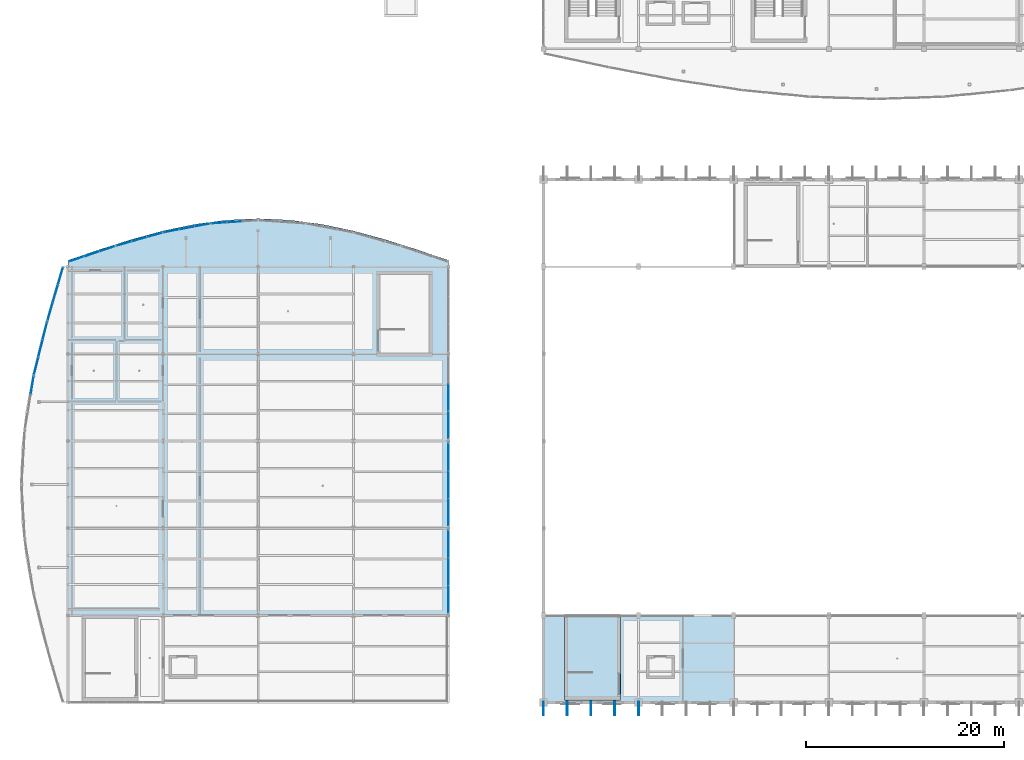
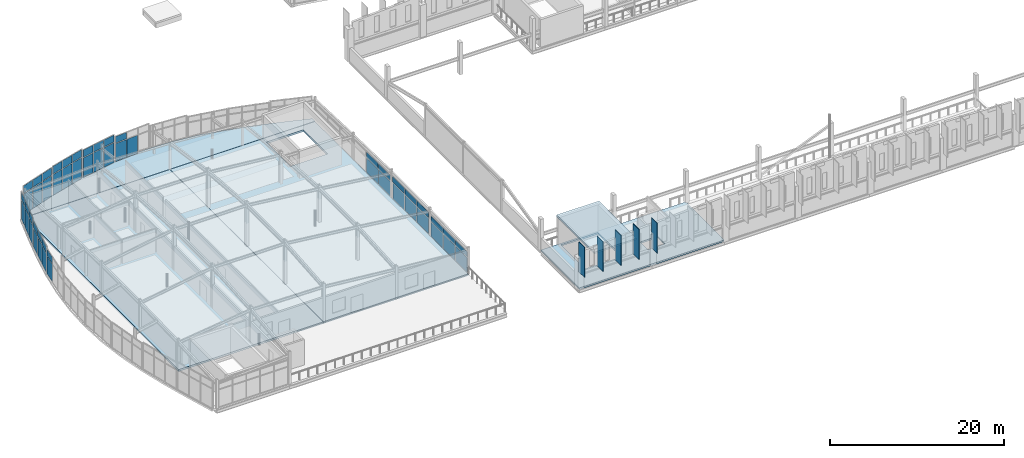
# One storey, part 82 of 114: 56 plates, 5 slabs, 10 elements without a shape of their own.
"""IFC4 building model written with IfcOpenShell, lengths in metres."""

from ifc_helpers import new_model, si_unit, direction, frame, origin, origin_2d, place, context, subcontext, project, spatial, polyline, rectangle, outline, extrude, material, layer, layer_set, type_object, element, aggregate, save


model = new_model("IFC4")

# Units and contexts
model_context = context("Model", 3, precision=1e-05, world=origin(), true_north=direction((0.0, 1.0)))
body_context = subcontext(model_context, "Body", "Model", "MODEL_VIEW")
ifc_project = project(units=[si_unit("LENGTHUNIT", "METRE"), si_unit("AREAUNIT", "SQUARE_METRE"), si_unit("VOLUMEUNIT", "CUBIC_METRE"), si_unit("PLANEANGLEUNIT", "RADIAN"), si_unit("MASSUNIT", "GRAM", prefix="KILO")], contexts=[model_context])

# Site, building, storey
site_placement = place(None, origin())
site = spatial("IfcSite", under=ifc_project, at=site_placement, CompositionType="ELEMENT")
building_placement = place(site_placement, origin())
building = spatial("IfcBuilding", under=site, at=building_placement, Name="Chalmorin Arch Market", CompositionType="ELEMENT")
storey_placement = place(building_placement, frame((0.0, 0.0, 9.60009765625)))
storey = spatial("IfcBuildingStorey", under=building, at=storey_placement, Name="L02", CompositionType="ELEMENT", Elevation=9.60009765625)

# Slabs
ifc_material_1 = material(Name="Concrete C40/50", Category="concrete")
ifc_layer_1 = layer(ifc_material_1, 0.219970703125)
ifc_layer_set_1 = layer_set([ifc_layer_1], Name="Concrete C40/50")
slab_type_1 = type_object("IfcSlabType", Name="ColonnadeCanopySlab-220", PredefinedType="ROOF", material=ifc_layer_set_1)
slab_1_placement = place(storey_placement, frame((0.0, 0.0, 3.849853515625)))
element("IfcSlab", 1, at=slab_1_placement, inside=storey, type_object=slab_type_1, Name="RS-SC3-CAP", PredefinedType="ROOF", context=body_context, shape_type="SweptSolid", body=[
    extrude(outline(polyline([(50.1298828125, 6.280029296875), (55.77001953125, 6.280029296875), (55.77001953125, 14.919921875), (50.1298828125, 14.919921875), (50.1298828125, 6.280029296875)])), origin(), (0.0, 0.0, 1.0), 0.219970703125),
])
ifc_layer_2 = layer(ifc_material_1, 0.25)
ifc_layer_set_2 = layer_set([ifc_layer_2], Name="Concrete C40/50")
slab_type_2 = type_object("IfcSlabType", Name="MezzanineDeckSlab-250", PredefinedType="FLOOR", material=ifc_layer_set_2)
slab_2_placement = place(storey_placement, frame((0.0, 0.0, -0.25)))
element("IfcSlab", 2, at=slab_2_placement, inside=storey, type_object=slab_type_2, Name="FS-250-112", PredefinedType="FLOOR", context=body_context, shape_type="SweptSolid", body=[
    extrude(outline(polyline([(0.010009765625, 14.820068359375), (19.18994140625, 14.820068359375), (19.18994140625, 50.0), (0.010009765625, 50.0), (0.010009765625, 14.820068359375)])), origin(), (0.0, 0.0, 1.0), 0.25),
])
slab_3_placement = place(storey_placement, frame((0.0, 0.0, -0.25)))
element("IfcSlab", 3, at=slab_3_placement, inside=storey, type_object=slab_type_2, Name="FS-250-113", PredefinedType="FLOOR", context=body_context, shape_type="SweptSolid", body=[
    extrude(outline(polyline([(19.2099609375, 14.820068359375), (38.389892578125, 14.820068359375), (38.389892578125, 50.0), (19.2099609375, 50.0), (19.2099609375, 14.820068359375)]), holes=[polyline([(31.5, 43.64990234375), (36.39990234375, 43.64990234375), (36.39990234375, 49.199951171875), (31.5, 49.199951171875), (31.5, 43.64990234375)])]), origin(), (0.0, 0.0, 1.0), 0.25),
])
slab_4_placement = place(storey_placement, frame((0.0, 0.0, -0.25)))
element("IfcSlab", 4, at=slab_4_placement, inside=storey, type_object=slab_type_2, Name="FS-250-131", PredefinedType="FLOOR", context=body_context, shape_type="SweptSolid", body=[
    extrude(outline(polyline([(0.0, 50.02001953125), (0.0, 50.64990234375), (3.199951171875, 51.737060546875), (6.39990234375, 52.75), (9.60009765625, 53.6201171875), (12.800048828125, 54.287109375), (16.0, 54.70703125), (19.199951171875, 54.85009765625), (22.39990234375, 54.70703125), (25.60009765625, 54.287109375), (28.800048828125, 53.6201171875), (32.0, 52.75), (35.199951171875, 51.737060546875), (38.39990234375, 50.64990234375), (38.39990234375, 50.02001953125), (0.0, 50.02001953125)])), origin(), (0.0, 0.0, 1.0), 0.25),
])

# Plates
ifc_material_2 = material(Name="Aluminium 6063-T6", Category="aluminium")
ifc_layer_3 = layer(ifc_material_2, 0.080078125)
ifc_layer_set_3 = layer_set([ifc_layer_3], Name="Aluminium 6063-T6")
plate_type_1 = type_object("IfcPlateType", Name="ParametricWaveFinPlate-850x60x4200", PredefinedType="SHEET", material=ifc_layer_set_3)
for number, where, z_axis, x_axis, name in (
    (5, (48.0, 5.385009765625, 2.25), (0.0, 0.0, 1.0), (0.0, 1.0, 0.0), "PWF-01-095"),
    (6, (50.39990234375, 5.385009765625, 2.25), (0.0, 0.0, 1.0), (0.0, 1.0, 0.0), "PWF-01-097"),
    (7, (52.800048828125, 5.385009765625, 2.25), (0.0, 0.0, 1.0), (0.0, 1.0, 0.0), "PWF-01-099"),
    (8, (55.199951171875, 5.385009765625, 2.25), (0.0, 0.0, 1.0), (0.0, 1.0, 0.0), "PWF-01-101"),
    (9, (57.60009765625, 5.385009765625, 2.25), (0.0, 0.0, 1.0), (0.0, 1.0, 0.0), "PWF-01-103"),
):
    element("IfcPlate", number, at=place(storey_placement, frame(where, z_axis=z_axis, x_axis=x_axis)), inside=storey, type_object=plate_type_1, Name=name, PredefinedType="SHEET", context=body_context, shape_type="SweptSolid", body=[
        extrude(rectangle(XDim=1.35009765625, YDim=0.080078125, at=origin_2d()), origin(), (0.0, 0.0, 1.0), 4.199951171875),
    ])

# Curtain wall, plate
ifc_layer_4 = layer(ifc_material_2, 0.159912109375)
ifc_layer_set_4 = layer_set([ifc_layer_4], Name="Aluminium 6063-T6")
curtain_wall_type_1 = type_object("IfcCurtainWallType", Name="RiverfrontStorefrontCurtainWall-CW2-5390x3570", PredefinedType="NOTDEFINED", material=ifc_layer_set_4)
curtain_wall_1_placement = place(storey_placement, origin())
curtain_wall_1 = element("IfcCurtainWall", 10, at=curtain_wall_1_placement, inside=storey, type_object=curtain_wall_type_1, Name="CW-02-062", PredefinedType="NOTDEFINED")
ifc_material_3 = material(Name="Powder-coated Aluminium Panel", Category="aluminium")
ifc_layer_5 = layer(ifc_material_3, 0.0400390625)
ifc_layer_set_5 = layer_set([ifc_layer_5], Name="Powder-coated Aluminium Panel")
plate_type_2 = type_object("IfcPlateType", Name="ShadowboxSpandrelPanel-40", PredefinedType="CURTAIN_PANEL", material=ifc_layer_set_5)
plate_1_placement = place(storey_placement, frame((-3.611572265625, 38.024169921875, 2.615234375), z_axis=(0.0, 0.0, 1.0), x_axis=(0.15643446504, 0.987688340595, 0.0)))
plate_1 = element("IfcPlate", 11, at=plate_1_placement, type_object=plate_type_2, Name="SP-40-062-03B", PredefinedType="CURTAIN_PANEL", context=body_context, shape_type="SweptSolid", body=[
    extrude(rectangle(XDim=1.71826171875, YDim=0.0400390625, at=origin_2d()), origin(), (0.0, 0.0, 1.0), 0.884521484375),
])

# Curtain wall, plates
ifc_layer_6 = layer(ifc_material_2, 0.159912109375)
ifc_layer_set_6 = layer_set([ifc_layer_6], Name="Aluminium 6063-T6")
curtain_wall_type_2 = type_object("IfcCurtainWallType", Name="RiverfrontStorefrontCurtainWall-CW2-5490x3780", PredefinedType="NOTDEFINED", material=ifc_layer_set_6)
curtain_wall_2_placement = place(storey_placement, origin())
curtain_wall_2 = element("IfcCurtainWall", 12, at=curtain_wall_2_placement, inside=storey, type_object=curtain_wall_type_2, Name="CW-02-065", PredefinedType="NOTDEFINED")
plate_2_placement = place(storey_placement, frame((-3.20849609375, 39.974853515625, 2.77001953125), z_axis=(0.0, 0.0, 1.0), x_axis=(0.2419218956, 0.970295726276, 0.0)))
plate_2 = element("IfcPlate", 13, at=plate_2_placement, type_object=plate_type_2, Name="SP-40-065-01B", PredefinedType="CURTAIN_PANEL", context=body_context, shape_type="SweptSolid", body=[
    extrude(rectangle(XDim=1.748779296875, YDim=0.0400390625, at=origin_2d()), origin(), (0.0, 0.0, 1.0), 0.94482421875),
])
plate_3_placement = place(storey_placement, frame((-2.7685546875, 41.75, 2.77001953125), z_axis=(0.0, 0.0, 1.0), x_axis=(0.2419218956, 0.970295726276, 0.0)))
plate_3 = element("IfcPlate", 14, at=plate_3_placement, type_object=plate_type_2, Name="SP-40-065-02B", PredefinedType="CURTAIN_PANEL", context=body_context, shape_type="SweptSolid", body=[
    extrude(rectangle(XDim=1.748779296875, YDim=0.0400390625, at=origin_2d()), origin(), (0.0, 0.0, 1.0), 0.94482421875),
])
plate_4_placement = place(storey_placement, frame((-2.32861328125, 43.525146484375, 2.77001953125), z_axis=(0.0, 0.0, 1.0), x_axis=(0.2419218956, 0.970295726276, 0.0)))
plate_4 = element("IfcPlate", 15, at=plate_4_placement, type_object=plate_type_2, Name="SP-40-065-03B", PredefinedType="CURTAIN_PANEL", context=body_context, shape_type="SweptSolid", body=[
    extrude(rectangle(XDim=1.748779296875, YDim=0.0400390625, at=origin_2d()), origin(), (0.0, 0.0, 1.0), 0.94482421875),
])

ifc_layer_7 = layer(ifc_material_2, 0.159912109375)
ifc_layer_set_7 = layer_set([ifc_layer_7], Name="Aluminium 6063-T6")
curtain_wall_type_3 = type_object("IfcCurtainWallType", Name="RiverfrontStorefrontCurtainWall-CW2-5550x3930", PredefinedType="NOTDEFINED", material=ifc_layer_set_7)
curtain_wall_3_placement = place(storey_placement, origin())
curtain_wall_3 = element("IfcCurtainWall", 16, at=curtain_wall_3_placement, inside=storey, type_object=curtain_wall_type_3, Name="CW-02-068", PredefinedType="NOTDEFINED")
plate_5_placement = place(storey_placement, frame((-1.802490234375, 45.474365234375, 2.8720703125), z_axis=(0.0, 0.0, 1.0), x_axis=(0.275637355817, 0.961261695938, 0.0)))
plate_5 = element("IfcPlate", 17, at=plate_5_placement, type_object=plate_type_2, Name="SP-40-068-01B", PredefinedType="CURTAIN_PANEL", context=body_context, shape_type="SweptSolid", body=[
    extrude(rectangle(XDim=1.77001953125, YDim=0.0400390625, at=origin_2d()), origin(), (0.0, 0.0, 1.0), 0.984619140625),
])
plate_6_placement = place(storey_placement, frame((-1.283447265625, 47.25, 2.8720703125), z_axis=(0.0, 0.0, 1.0), x_axis=(0.275637355817, 0.961261695938, 0.0)))
plate_6 = element("IfcPlate", 18, at=plate_6_placement, type_object=plate_type_2, Name="SP-40-068-02B", PredefinedType="CURTAIN_PANEL", context=body_context, shape_type="SweptSolid", body=[
    extrude(rectangle(XDim=1.77001953125, YDim=0.0400390625, at=origin_2d()), origin(), (0.0, 0.0, 1.0), 0.984619140625),
])
plate_7_placement = place(storey_placement, frame((-0.7646484375, 49.025634765625, 2.8720703125), z_axis=(0.0, 0.0, 1.0), x_axis=(0.275637355817, 0.961261695938, 0.0)))
plate_7 = element("IfcPlate", 19, at=plate_7_placement, type_object=plate_type_2, Name="SP-40-068-03B", PredefinedType="CURTAIN_PANEL", context=body_context, shape_type="SweptSolid", body=[
    extrude(rectangle(XDim=1.77001953125, YDim=0.0400390625, at=origin_2d()), origin(), (0.0, 0.0, 1.0), 0.984619140625),
])

ifc_layer_8 = layer(ifc_material_2, 0.159912109375)
ifc_layer_set_8 = layer_set([ifc_layer_8], Name="Aluminium 6063-T6")
curtain_wall_type_4 = type_object("IfcCurtainWallType", Name="RiverfrontStorefrontCurtainWall-CW2-4880x4130", PredefinedType="NOTDEFINED", material=ifc_layer_set_8)
curtain_wall_4_placement = place(storey_placement, origin())
curtain_wall_4 = element("IfcCurtainWall", 20, at=curtain_wall_4_placement, inside=storey, type_object=curtain_wall_type_4, Name="CW-02-071", PredefinedType="NOTDEFINED")
plate_8_placement = place(storey_placement, frame((0.85693359375, 50.766845703125, 3.02001953125), z_axis=(0.0, 0.0, 1.0), x_axis=(0.945518575599, 0.325568154457, 0.0)))
plate_8 = element("IfcPlate", 21, at=plate_8_placement, type_object=plate_type_2, Name="SP-40-071-01B", PredefinedType="CURTAIN_PANEL", context=body_context, shape_type="SweptSolid", body=[
    extrude(rectangle(XDim=1.54736328125, YDim=0.0400390625, at=origin_2d()), origin(), (0.0, 0.0, 1.0), 1.0419921875),
])
plate_9_placement = place(storey_placement, frame((2.39990234375, 51.283447265625, 3.02001953125), z_axis=(0.0, 0.0, 1.0), x_axis=(0.945518575599, 0.325568154457, 0.0)))
plate_9 = element("IfcPlate", 22, at=plate_9_placement, type_object=plate_type_2, Name="SP-40-071-02B", PredefinedType="CURTAIN_PANEL", context=body_context, shape_type="SweptSolid", body=[
    extrude(rectangle(XDim=1.54736328125, YDim=0.0400390625, at=origin_2d()), origin(), (0.0, 0.0, 1.0), 1.0419921875),
])
plate_10_placement = place(storey_placement, frame((3.943115234375, 51.800048828125, 3.02001953125), z_axis=(0.0, 0.0, 1.0), x_axis=(0.945518575599, 0.325568154457, 0.0)))
plate_10 = element("IfcPlate", 23, at=plate_10_placement, type_object=plate_type_2, Name="SP-40-071-03B", PredefinedType="CURTAIN_PANEL", context=body_context, shape_type="SweptSolid", body=[
    extrude(rectangle(XDim=1.54736328125, YDim=0.0400390625, at=origin_2d()), origin(), (0.0, 0.0, 1.0), 1.0419921875),
])

ifc_layer_9 = layer(ifc_material_2, 0.159912109375)
ifc_layer_set_9 = layer_set([ifc_layer_9], Name="Aluminium 6063-T6")
curtain_wall_type_5 = type_object("IfcCurtainWallType", Name="RiverfrontStorefrontCurtainWall-CW2-4810x4210", PredefinedType="NOTDEFINED", material=ifc_layer_set_9)
curtain_wall_5_placement = place(storey_placement, origin())
curtain_wall_5 = element("IfcCurtainWall", 24, at=curtain_wall_5_placement, inside=storey, type_object=curtain_wall_type_5, Name="CW-02-074", PredefinedType="NOTDEFINED")
plate_11_placement = place(storey_placement, frame((5.65771484375, 52.33056640625, 3.078125), z_axis=(0.0, 0.0, 1.0), x_axis=(0.961261695938, 0.275637355817, 0.0)))
plate_11 = element("IfcPlate", 25, at=plate_11_placement, type_object=plate_type_2, Name="SP-40-074-01B", PredefinedType="CURTAIN_PANEL", context=body_context, shape_type="SweptSolid", body=[
    extrude(rectangle(XDim=1.523193359375, YDim=0.0400390625, at=origin_2d()), origin(), (0.0, 0.0, 1.0), 1.064697265625),
])
plate_12_placement = place(storey_placement, frame((7.199951171875, 52.7685546875, 3.078125), z_axis=(0.0, 0.0, 1.0), x_axis=(0.961261695938, 0.275637355817, 0.0)))
plate_12 = element("IfcPlate", 26, at=plate_12_placement, type_object=plate_type_2, Name="SP-40-074-02B", PredefinedType="CURTAIN_PANEL", context=body_context, shape_type="SweptSolid", body=[
    extrude(rectangle(XDim=1.523193359375, YDim=0.0400390625, at=origin_2d()), origin(), (0.0, 0.0, 1.0), 1.064697265625),
])
plate_13_placement = place(storey_placement, frame((8.7421875, 53.206298828125, 3.078125), z_axis=(0.0, 0.0, 1.0), x_axis=(0.961261695938, 0.275637355817, 0.0)))
plate_13 = element("IfcPlate", 27, at=plate_13_placement, type_object=plate_type_2, Name="SP-40-074-03B", PredefinedType="CURTAIN_PANEL", context=body_context, shape_type="SweptSolid", body=[
    extrude(rectangle(XDim=1.523193359375, YDim=0.0400390625, at=origin_2d()), origin(), (0.0, 0.0, 1.0), 1.064697265625),
])

ifc_layer_10 = layer(ifc_material_2, 0.159912109375)
ifc_layer_set_10 = layer_set([ifc_layer_10], Name="Aluminium 6063-T6")
curtain_wall_type_6 = type_object("IfcCurtainWallType", Name="RiverfrontStorefrontCurtainWall-CW2-4710x4000", PredefinedType="NOTDEFINED", material=ifc_layer_set_10)
curtain_wall_6_placement = place(storey_placement, origin())
curtain_wall_6 = element("IfcCurtainWall", 28, at=curtain_wall_6_placement, inside=storey, type_object=curtain_wall_type_6, Name="CW-02-077", PredefinedType="NOTDEFINED")
plate_14_placement = place(storey_placement, frame((10.458984375, 53.61279296875, 2.921875), z_axis=(0.0, 0.0, 1.0), x_axis=(0.981627183448, 0.190808995377, 0.0)))
plate_14 = element("IfcPlate", 29, at=plate_14_placement, type_object=plate_type_2, Name="SP-40-077-01B", PredefinedType="CURTAIN_PANEL", context=body_context, shape_type="SweptSolid", body=[
    extrude(rectangle(XDim=1.488525390625, YDim=0.0400390625, at=origin_2d()), origin(), (0.0, 0.0, 1.0), 1.00390625),
])
plate_15_placement = place(storey_placement, frame((12.0, 53.905029296875, 2.921875), z_axis=(0.0, 0.0, 1.0), x_axis=(0.981627183448, 0.190808995377, 0.0)))
plate_15 = element("IfcPlate", 30, at=plate_15_placement, type_object=plate_type_2, Name="SP-40-077-02B", PredefinedType="CURTAIN_PANEL", context=body_context, shape_type="SweptSolid", body=[
    extrude(rectangle(XDim=1.488525390625, YDim=0.0400390625, at=origin_2d()), origin(), (0.0, 0.0, 1.0), 1.00390625),
])
plate_16_placement = place(storey_placement, frame((13.541015625, 54.197021484375, 2.921875), z_axis=(0.0, 0.0, 1.0), x_axis=(0.981627183448, 0.190808995377, 0.0)))
plate_16 = element("IfcPlate", 31, at=plate_16_placement, type_object=plate_type_2, Name="SP-40-077-03B", PredefinedType="CURTAIN_PANEL", context=body_context, shape_type="SweptSolid", body=[
    extrude(rectangle(XDim=1.488525390625, YDim=0.0400390625, at=origin_2d()), origin(), (0.0, 0.0, 1.0), 1.00390625),
])

# Curtain wall, plate
ifc_layer_11 = layer(ifc_material_2, 0.159912109375)
ifc_layer_set_11 = layer_set([ifc_layer_11], Name="Aluminium 6063-T6")
curtain_wall_type_7 = type_object("IfcCurtainWallType", Name="RiverfrontStorefrontCurtainWall-CW2-4630x3670", PredefinedType="NOTDEFINED", material=ifc_layer_set_11)
curtain_wall_7_placement = place(storey_placement, origin())
curtain_wall_7 = element("IfcCurtainWall", 32, at=curtain_wall_7_placement, inside=storey, type_object=curtain_wall_type_7, Name="CW-02-080", PredefinedType="NOTDEFINED")
plate_17_placement = place(storey_placement, frame((15.260009765625, 54.417236328125, 2.6904296875), z_axis=(0.0, 0.0, 1.0), x_axis=(0.99756405026, 0.069756473744, 0.0)))
plate_17 = element("IfcPlate", 33, at=plate_17_placement, type_object=plate_type_2, Name="SP-40-080-01B", PredefinedType="CURTAIN_PANEL", context=body_context, shape_type="SweptSolid", body=[
    extrude(rectangle(XDim=1.463623046875, YDim=0.0400390625, at=origin_2d()), origin(), (0.0, 0.0, 1.0), 0.913818359375),
])

# Curtain wall, plates
ifc_layer_12 = layer(ifc_material_2, 0.159912109375)
ifc_layer_set_12 = layer_set([ifc_layer_12], Name="Aluminium 6063-T6")
curtain_wall_type_8 = type_object("IfcCurtainWallType", Name="RiverfrontStorefrontCurtainWall-CW2-8330x2990", PredefinedType="NOTDEFINED", material=ifc_layer_set_12)
curtain_wall_8_placement = place(storey_placement, origin())
curtain_wall_8 = element("IfcCurtainWall", 34, at=curtain_wall_8_placement, inside=storey, type_object=curtain_wall_type_8, Name="CW-02-100", PredefinedType="NOTDEFINED")
plate_18_placement = place(storey_placement, frame((38.39990234375, 16.4248046875, 2.19580078125), z_axis=(0.0, 0.0, 1.0), x_axis=(0.0, 1.0, 0.0)))
plate_18 = element("IfcPlate", 35, at=plate_18_placement, type_object=plate_type_2, Name="SP-40-100-01B", PredefinedType="CURTAIN_PANEL", context=body_context, shape_type="SweptSolid", body=[
    extrude(rectangle(XDim=2.6953125, YDim=0.0400390625, at=origin_2d()), origin(), (0.0, 0.0, 1.0), 0.721435546875),
])
plate_19_placement = place(storey_placement, frame((38.39990234375, 19.199951171875, 2.19580078125), z_axis=(0.0, 0.0, 1.0), x_axis=(0.0, 1.0, 0.0)))
plate_19 = element("IfcPlate", 36, at=plate_19_placement, type_object=plate_type_2, Name="SP-40-100-02B", PredefinedType="CURTAIN_PANEL", context=body_context, shape_type="SweptSolid", body=[
    extrude(rectangle(XDim=2.6953125, YDim=0.0400390625, at=origin_2d()), origin(), (0.0, 0.0, 1.0), 0.721435546875),
])
plate_20_placement = place(storey_placement, frame((38.39990234375, 21.975341796875, 2.19580078125), z_axis=(0.0, 0.0, 1.0), x_axis=(0.0, 1.0, 0.0)))
plate_20 = element("IfcPlate", 37, at=plate_20_placement, type_object=plate_type_2, Name="SP-40-100-03B", PredefinedType="CURTAIN_PANEL", context=body_context, shape_type="SweptSolid", body=[
    extrude(rectangle(XDim=2.6953125, YDim=0.0400390625, at=origin_2d()), origin(), (0.0, 0.0, 1.0), 0.721435546875),
])

ifc_layer_13 = layer(ifc_material_2, 0.159912109375)
ifc_layer_set_13 = layer_set([ifc_layer_13], Name="Aluminium 6063-T6")
curtain_wall_type_9 = type_object("IfcCurtainWallType", Name="RiverfrontStorefrontCurtainWall-CW2-8330x3190", PredefinedType="NOTDEFINED", material=ifc_layer_set_13)
curtain_wall_9_placement = place(storey_placement, origin())
curtain_wall_9 = element("IfcCurtainWall", 38, at=curtain_wall_9_placement, inside=storey, type_object=curtain_wall_type_9, Name="CW-02-102", PredefinedType="NOTDEFINED")
plate_21_placement = place(storey_placement, frame((38.39990234375, 25.224609375, 2.3427734375), z_axis=(0.0, 0.0, 1.0), x_axis=(0.0, 1.0, 0.0)))
plate_21 = element("IfcPlate", 39, at=plate_21_placement, type_object=plate_type_2, Name="SP-40-102-01B", PredefinedType="CURTAIN_PANEL", context=body_context, shape_type="SweptSolid", body=[
    extrude(rectangle(XDim=2.6953125, YDim=0.0400390625, at=origin_2d()), origin(), (0.0, 0.0, 1.0), 0.778564453125),
])
plate_22_placement = place(storey_placement, frame((38.39990234375, 28.0, 2.3427734375), z_axis=(0.0, 0.0, 1.0), x_axis=(0.0, 1.0, 0.0)))
plate_22 = element("IfcPlate", 40, at=plate_22_placement, type_object=plate_type_2, Name="SP-40-102-02B", PredefinedType="CURTAIN_PANEL", context=body_context, shape_type="SweptSolid", body=[
    extrude(rectangle(XDim=2.6953125, YDim=0.0400390625, at=origin_2d()), origin(), (0.0, 0.0, 1.0), 0.778564453125),
])
plate_23_placement = place(storey_placement, frame((38.39990234375, 30.775390625, 2.3427734375), z_axis=(0.0, 0.0, 1.0), x_axis=(0.0, 1.0, 0.0)))
plate_23 = element("IfcPlate", 41, at=plate_23_placement, type_object=plate_type_2, Name="SP-40-102-03B", PredefinedType="CURTAIN_PANEL", context=body_context, shape_type="SweptSolid", body=[
    extrude(rectangle(XDim=2.6953125, YDim=0.0400390625, at=origin_2d()), origin(), (0.0, 0.0, 1.0), 0.778564453125),
])

curtain_wall_10_placement = place(storey_placement, origin())
curtain_wall_10 = element("IfcCurtainWall", 42, at=curtain_wall_10_placement, inside=storey, type_object=curtain_wall_type_8, Name="CW-02-104", PredefinedType="NOTDEFINED")
plate_24_placement = place(storey_placement, frame((38.39990234375, 34.024658203125, 2.2001953125), z_axis=(0.0, 0.0, 1.0), x_axis=(0.0, 1.0, 0.0)))
plate_24 = element("IfcPlate", 43, at=plate_24_placement, type_object=plate_type_2, Name="SP-40-104-01B", PredefinedType="CURTAIN_PANEL", context=body_context, shape_type="SweptSolid", body=[
    extrude(rectangle(XDim=2.6953125, YDim=0.0400390625, at=origin_2d()), origin(), (0.0, 0.0, 1.0), 0.72314453125),
])
plate_25_placement = place(storey_placement, frame((38.39990234375, 36.800048828125, 2.2001953125), z_axis=(0.0, 0.0, 1.0), x_axis=(0.0, 1.0, 0.0)))
plate_25 = element("IfcPlate", 44, at=plate_25_placement, type_object=plate_type_2, Name="SP-40-104-02B", PredefinedType="CURTAIN_PANEL", context=body_context, shape_type="SweptSolid", body=[
    extrude(rectangle(XDim=2.6953125, YDim=0.0400390625, at=origin_2d()), origin(), (0.0, 0.0, 1.0), 0.72314453125),
])

# Slab
ifc_layer_14 = layer(ifc_material_1, 0.22998046875)
ifc_layer_set_14 = layer_set([ifc_layer_14], Name="Concrete C40/50")
slab_type_3 = type_object("IfcSlabType", Name="UpperGallerySlab-230", PredefinedType="FLOOR", material=ifc_layer_set_14)
slab_5_placement = place(storey_placement, frame((0.0, 0.0, -0.22998046875)))
element("IfcSlab", 45, at=slab_5_placement, inside=storey, type_object=slab_type_3, Name="FS-230-104", PredefinedType="FLOOR", context=body_context, shape_type="SweptSolid", body=[
    extrude(outline(polyline([(48.010009765625, 6.010009765625), (67.18994140625, 6.010009765625), (67.18994140625, 14.800048828125), (48.010009765625, 14.800048828125), (48.010009765625, 6.010009765625)]), holes=[polyline([(50.5, 9.0), (55.39990234375, 9.0), (55.39990234375, 14.550048828125), (50.5, 14.550048828125), (50.5, 9.0)]), polyline([(58.64990234375, 8.72509765625), (60.949951171875, 8.72509765625), (60.949951171875, 10.47509765625), (58.64990234375, 10.47509765625), (58.64990234375, 8.72509765625)])]), origin(), (0.0, 0.0, 1.0), 0.22998046875),
])

# Plate
ifc_material_4 = material(Name="Low-E Tempered Glass", Category="glass")
ifc_layer_15 = layer(ifc_material_4, 0.028076171875)
ifc_layer_set_15 = layer_set([ifc_layer_15], Name="Low-E Tempered Glass")
plate_type_3 = type_object("IfcPlateType", Name="VisionIGUPanel-28", PredefinedType="CURTAIN_PANEL", material=ifc_layer_set_15)
plate_26_placement = place(storey_placement, frame((-3.611572265625, 38.024169921875, 0.06982421875), z_axis=(0.0, 0.0, 1.0), x_axis=(0.15643446504, 0.987688340595, 0.0)))
plate_26 = element("IfcPlate", 46, at=plate_26_placement, type_object=plate_type_3, Name="GL-28-062-03A", PredefinedType="CURTAIN_PANEL", context=body_context, shape_type="SweptSolid", body=[
    extrude(rectangle(XDim=1.71826171875, YDim=0.028076171875, at=origin_2d()), origin(), (0.0, 0.0, 1.0), 2.455322265625),
])

aggregate(curtain_wall_1, [plate_26, plate_1])

plate_27_placement = place(storey_placement, frame((-3.20849609375, 39.974853515625, 0.06982421875), z_axis=(0.0, 0.0, 1.0), x_axis=(0.2419218956, 0.970295726276, 0.0)))
plate_27 = element("IfcPlate", 47, at=plate_27_placement, type_object=plate_type_3, Name="GL-28-065-01A", PredefinedType="CURTAIN_PANEL", context=body_context, shape_type="SweptSolid", body=[
    extrude(rectangle(XDim=1.748779296875, YDim=0.028076171875, at=origin_2d()), origin(), (0.0, 0.0, 1.0), 2.610107421875),
])

plate_28_placement = place(storey_placement, frame((-2.7685546875, 41.75, 0.06982421875), z_axis=(0.0, 0.0, 1.0), x_axis=(0.2419218956, 0.970295726276, 0.0)))
plate_28 = element("IfcPlate", 48, at=plate_28_placement, type_object=plate_type_3, Name="GL-28-065-02A", PredefinedType="CURTAIN_PANEL", context=body_context, shape_type="SweptSolid", body=[
    extrude(rectangle(XDim=1.748779296875, YDim=0.028076171875, at=origin_2d()), origin(), (0.0, 0.0, 1.0), 2.610107421875),
])

plate_29_placement = place(storey_placement, frame((-2.32861328125, 43.525146484375, 0.06982421875), z_axis=(0.0, 0.0, 1.0), x_axis=(0.2419218956, 0.970295726276, 0.0)))
plate_29 = element("IfcPlate", 49, at=plate_29_placement, type_object=plate_type_3, Name="GL-28-065-03A", PredefinedType="CURTAIN_PANEL", context=body_context, shape_type="SweptSolid", body=[
    extrude(rectangle(XDim=1.748779296875, YDim=0.028076171875, at=origin_2d()), origin(), (0.0, 0.0, 1.0), 2.610107421875),
])

aggregate(curtain_wall_2, [plate_27, plate_2, plate_28, plate_3, plate_29, plate_4])

plate_30_placement = place(storey_placement, frame((-1.802490234375, 45.474365234375, 0.06982421875), z_axis=(0.0, 0.0, 1.0), x_axis=(0.275637355817, 0.961261695938, 0.0)))
plate_30 = element("IfcPlate", 50, at=plate_30_placement, type_object=plate_type_3, Name="GL-28-068-01A", PredefinedType="CURTAIN_PANEL", context=body_context, shape_type="SweptSolid", body=[
    extrude(rectangle(XDim=1.77001953125, YDim=0.028076171875, at=origin_2d()), origin(), (0.0, 0.0, 1.0), 2.71240234375),
])

plate_31_placement = place(storey_placement, frame((-1.283447265625, 47.25, 0.06982421875), z_axis=(0.0, 0.0, 1.0), x_axis=(0.275637355817, 0.961261695938, 0.0)))
plate_31 = element("IfcPlate", 51, at=plate_31_placement, type_object=plate_type_3, Name="GL-28-068-02A", PredefinedType="CURTAIN_PANEL", context=body_context, shape_type="SweptSolid", body=[
    extrude(rectangle(XDim=1.77001953125, YDim=0.028076171875, at=origin_2d()), origin(), (0.0, 0.0, 1.0), 2.71240234375),
])

plate_32_placement = place(storey_placement, frame((-0.7646484375, 49.025634765625, 0.06982421875), z_axis=(0.0, 0.0, 1.0), x_axis=(0.275637355817, 0.961261695938, 0.0)))
plate_32 = element("IfcPlate", 52, at=plate_32_placement, type_object=plate_type_3, Name="GL-28-068-03A", PredefinedType="CURTAIN_PANEL", context=body_context, shape_type="SweptSolid", body=[
    extrude(rectangle(XDim=1.77001953125, YDim=0.028076171875, at=origin_2d()), origin(), (0.0, 0.0, 1.0), 2.71240234375),
])

aggregate(curtain_wall_3, [plate_30, plate_5, plate_31, plate_6, plate_32, plate_7])

plate_33_placement = place(storey_placement, frame((0.85693359375, 50.766845703125, 0.06982421875), z_axis=(0.0, 0.0, 1.0), x_axis=(0.945518575599, 0.325568154457, 0.0)))
plate_33 = element("IfcPlate", 53, at=plate_33_placement, type_object=plate_type_3, Name="GL-28-071-01A", PredefinedType="CURTAIN_PANEL", context=body_context, shape_type="SweptSolid", body=[
    extrude(rectangle(XDim=1.54736328125, YDim=0.028076171875, at=origin_2d()), origin(), (0.0, 0.0, 1.0), 2.860107421875),
])

plate_34_placement = place(storey_placement, frame((2.39990234375, 51.283447265625, 0.06982421875), z_axis=(0.0, 0.0, 1.0), x_axis=(0.945518575599, 0.325568154457, 0.0)))
plate_34 = element("IfcPlate", 54, at=plate_34_placement, type_object=plate_type_3, Name="GL-28-071-02A", PredefinedType="CURTAIN_PANEL", context=body_context, shape_type="SweptSolid", body=[
    extrude(rectangle(XDim=1.54736328125, YDim=0.028076171875, at=origin_2d()), origin(), (0.0, 0.0, 1.0), 2.860107421875),
])

plate_35_placement = place(storey_placement, frame((3.943115234375, 51.800048828125, 0.06982421875), z_axis=(0.0, 0.0, 1.0), x_axis=(0.945518575599, 0.325568154457, 0.0)))
plate_35 = element("IfcPlate", 55, at=plate_35_placement, type_object=plate_type_3, Name="GL-28-071-03A", PredefinedType="CURTAIN_PANEL", context=body_context, shape_type="SweptSolid", body=[
    extrude(rectangle(XDim=1.54736328125, YDim=0.028076171875, at=origin_2d()), origin(), (0.0, 0.0, 1.0), 2.860107421875),
])

aggregate(curtain_wall_4, [plate_33, plate_8, plate_34, plate_9, plate_35, plate_10])

plate_36_placement = place(storey_placement, frame((5.65771484375, 52.33056640625, 0.06982421875), z_axis=(0.0, 0.0, 1.0), x_axis=(0.961261695938, 0.275637355817, 0.0)))
plate_36 = element("IfcPlate", 56, at=plate_36_placement, type_object=plate_type_3, Name="GL-28-074-01A", PredefinedType="CURTAIN_PANEL", context=body_context, shape_type="SweptSolid", body=[
    extrude(rectangle(XDim=1.523193359375, YDim=0.028076171875, at=origin_2d()), origin(), (0.0, 0.0, 1.0), 2.91845703125),
])

plate_37_placement = place(storey_placement, frame((7.199951171875, 52.7685546875, 0.06982421875), z_axis=(0.0, 0.0, 1.0), x_axis=(0.961261695938, 0.275637355817, 0.0)))
plate_37 = element("IfcPlate", 57, at=plate_37_placement, type_object=plate_type_3, Name="GL-28-074-02A", PredefinedType="CURTAIN_PANEL", context=body_context, shape_type="SweptSolid", body=[
    extrude(rectangle(XDim=1.523193359375, YDim=0.028076171875, at=origin_2d()), origin(), (0.0, 0.0, 1.0), 2.91845703125),
])

plate_38_placement = place(storey_placement, frame((8.7421875, 53.206298828125, 0.06982421875), z_axis=(0.0, 0.0, 1.0), x_axis=(0.961261695938, 0.275637355817, 0.0)))
plate_38 = element("IfcPlate", 58, at=plate_38_placement, type_object=plate_type_3, Name="GL-28-074-03A", PredefinedType="CURTAIN_PANEL", context=body_context, shape_type="SweptSolid", body=[
    extrude(rectangle(XDim=1.523193359375, YDim=0.028076171875, at=origin_2d()), origin(), (0.0, 0.0, 1.0), 2.91845703125),
])

aggregate(curtain_wall_5, [plate_36, plate_11, plate_37, plate_12, plate_38, plate_13])

plate_39_placement = place(storey_placement, frame((10.458984375, 53.61279296875, 0.06982421875), z_axis=(0.0, 0.0, 1.0), x_axis=(0.981627183448, 0.190808995377, 0.0)))
plate_39 = element("IfcPlate", 59, at=plate_39_placement, type_object=plate_type_3, Name="GL-28-077-01A", PredefinedType="CURTAIN_PANEL", context=body_context, shape_type="SweptSolid", body=[
    extrude(rectangle(XDim=1.488525390625, YDim=0.028076171875, at=origin_2d()), origin(), (0.0, 0.0, 1.0), 2.76220703125),
])

plate_40_placement = place(storey_placement, frame((12.0, 53.905029296875, 0.06982421875), z_axis=(0.0, 0.0, 1.0), x_axis=(0.981627183448, 0.190808995377, 0.0)))
plate_40 = element("IfcPlate", 60, at=plate_40_placement, type_object=plate_type_3, Name="GL-28-077-02A", PredefinedType="CURTAIN_PANEL", context=body_context, shape_type="SweptSolid", body=[
    extrude(rectangle(XDim=1.488525390625, YDim=0.028076171875, at=origin_2d()), origin(), (0.0, 0.0, 1.0), 2.76220703125),
])

plate_41_placement = place(storey_placement, frame((13.541015625, 54.197021484375, 0.06982421875), z_axis=(0.0, 0.0, 1.0), x_axis=(0.981627183448, 0.190808995377, 0.0)))
plate_41 = element("IfcPlate", 61, at=plate_41_placement, type_object=plate_type_3, Name="GL-28-077-03A", PredefinedType="CURTAIN_PANEL", context=body_context, shape_type="SweptSolid", body=[
    extrude(rectangle(XDim=1.488525390625, YDim=0.028076171875, at=origin_2d()), origin(), (0.0, 0.0, 1.0), 2.76220703125),
])

aggregate(curtain_wall_6, [plate_39, plate_14, plate_40, plate_15, plate_41, plate_16])

plate_42_placement = place(storey_placement, frame((15.260009765625, 54.417236328125, 0.070068359375), z_axis=(0.0, 0.0, 1.0), x_axis=(0.99756405026, 0.069756473744, 0.0)))
plate_42 = element("IfcPlate", 62, at=plate_42_placement, type_object=plate_type_3, Name="GL-28-080-01A", PredefinedType="CURTAIN_PANEL", context=body_context, shape_type="SweptSolid", body=[
    extrude(rectangle(XDim=1.463623046875, YDim=0.028076171875, at=origin_2d()), origin(), (0.0, 0.0, 1.0), 2.5302734375),
])

plate_43_placement = place(storey_placement, frame((16.800048828125, 54.52001953125, 0.070068359375), z_axis=(0.0, 0.0, 1.0), x_axis=(0.99756405026, 0.069756473744, 0.0)))
plate_43 = element("IfcPlate", 63, at=plate_43_placement, type_object=plate_type_3, Name="GL-28-080-02A", PredefinedType="CURTAIN_PANEL", context=body_context, shape_type="SweptSolid", body=[
    extrude(rectangle(XDim=1.463623046875, YDim=0.028076171875, at=origin_2d()), origin(), (0.0, 0.0, 1.0), 2.5302734375),
])

aggregate(curtain_wall_7, [plate_42, plate_17, plate_43])

plate_44_placement = place(storey_placement, frame((38.39990234375, 16.4248046875, 0.06982421875), z_axis=(0.0, 0.0, 1.0), x_axis=(0.0, 1.0, 0.0)))
plate_44 = element("IfcPlate", 64, at=plate_44_placement, type_object=plate_type_3, Name="GL-28-100-01A", PredefinedType="CURTAIN_PANEL", context=body_context, shape_type="SweptSolid", body=[
    extrude(rectangle(XDim=2.6953125, YDim=0.028076171875, at=origin_2d()), origin(), (0.0, 0.0, 1.0), 2.035888671875),
])

plate_45_placement = place(storey_placement, frame((38.39990234375, 19.199951171875, 0.06982421875), z_axis=(0.0, 0.0, 1.0), x_axis=(0.0, 1.0, 0.0)))
plate_45 = element("IfcPlate", 65, at=plate_45_placement, type_object=plate_type_3, Name="GL-28-100-02A", PredefinedType="CURTAIN_PANEL", context=body_context, shape_type="SweptSolid", body=[
    extrude(rectangle(XDim=2.6953125, YDim=0.028076171875, at=origin_2d()), origin(), (0.0, 0.0, 1.0), 2.035888671875),
])

plate_46_placement = place(storey_placement, frame((38.39990234375, 21.975341796875, 0.06982421875), z_axis=(0.0, 0.0, 1.0), x_axis=(0.0, 1.0, 0.0)))
plate_46 = element("IfcPlate", 66, at=plate_46_placement, type_object=plate_type_3, Name="GL-28-100-03A", PredefinedType="CURTAIN_PANEL", context=body_context, shape_type="SweptSolid", body=[
    extrude(rectangle(XDim=2.6953125, YDim=0.028076171875, at=origin_2d()), origin(), (0.0, 0.0, 1.0), 2.035888671875),
])

aggregate(curtain_wall_8, [plate_44, plate_18, plate_45, plate_19, plate_46, plate_20])

plate_47_placement = place(storey_placement, frame((38.39990234375, 25.224609375, 0.06982421875), z_axis=(0.0, 0.0, 1.0), x_axis=(0.0, 1.0, 0.0)))
plate_47 = element("IfcPlate", 67, at=plate_47_placement, type_object=plate_type_3, Name="GL-28-102-01A", PredefinedType="CURTAIN_PANEL", context=body_context, shape_type="SweptSolid", body=[
    extrude(rectangle(XDim=2.6953125, YDim=0.028076171875, at=origin_2d()), origin(), (0.0, 0.0, 1.0), 2.182861328125),
])

plate_48_placement = place(storey_placement, frame((38.39990234375, 28.0, 0.06982421875), z_axis=(0.0, 0.0, 1.0), x_axis=(0.0, 1.0, 0.0)))
plate_48 = element("IfcPlate", 68, at=plate_48_placement, type_object=plate_type_3, Name="GL-28-102-02A", PredefinedType="CURTAIN_PANEL", context=body_context, shape_type="SweptSolid", body=[
    extrude(rectangle(XDim=2.6953125, YDim=0.028076171875, at=origin_2d()), origin(), (0.0, 0.0, 1.0), 2.182861328125),
])

plate_49_placement = place(storey_placement, frame((38.39990234375, 30.775390625, 0.06982421875), z_axis=(0.0, 0.0, 1.0), x_axis=(0.0, 1.0, 0.0)))
plate_49 = element("IfcPlate", 69, at=plate_49_placement, type_object=plate_type_3, Name="GL-28-102-03A", PredefinedType="CURTAIN_PANEL", context=body_context, shape_type="SweptSolid", body=[
    extrude(rectangle(XDim=2.6953125, YDim=0.028076171875, at=origin_2d()), origin(), (0.0, 0.0, 1.0), 2.182861328125),
])

aggregate(curtain_wall_9, [plate_47, plate_21, plate_48, plate_22, plate_49, plate_23])

plate_50_placement = place(storey_placement, frame((38.39990234375, 34.024658203125, 0.06982421875), z_axis=(0.0, 0.0, 1.0), x_axis=(0.0, 1.0, 0.0)))
plate_50 = element("IfcPlate", 70, at=plate_50_placement, type_object=plate_type_3, Name="GL-28-104-01A", PredefinedType="CURTAIN_PANEL", context=body_context, shape_type="SweptSolid", body=[
    extrude(rectangle(XDim=2.6953125, YDim=0.028076171875, at=origin_2d()), origin(), (0.0, 0.0, 1.0), 2.040283203125),
])

plate_51_placement = place(storey_placement, frame((38.39990234375, 36.800048828125, 0.06982421875), z_axis=(0.0, 0.0, 1.0), x_axis=(0.0, 1.0, 0.0)))
plate_51 = element("IfcPlate", 71, at=plate_51_placement, type_object=plate_type_3, Name="GL-28-104-02A", PredefinedType="CURTAIN_PANEL", context=body_context, shape_type="SweptSolid", body=[
    extrude(rectangle(XDim=2.6953125, YDim=0.028076171875, at=origin_2d()), origin(), (0.0, 0.0, 1.0), 2.040283203125),
])

aggregate(curtain_wall_10, [plate_50, plate_24, plate_51, plate_25])

save(model, "model.ifc")
